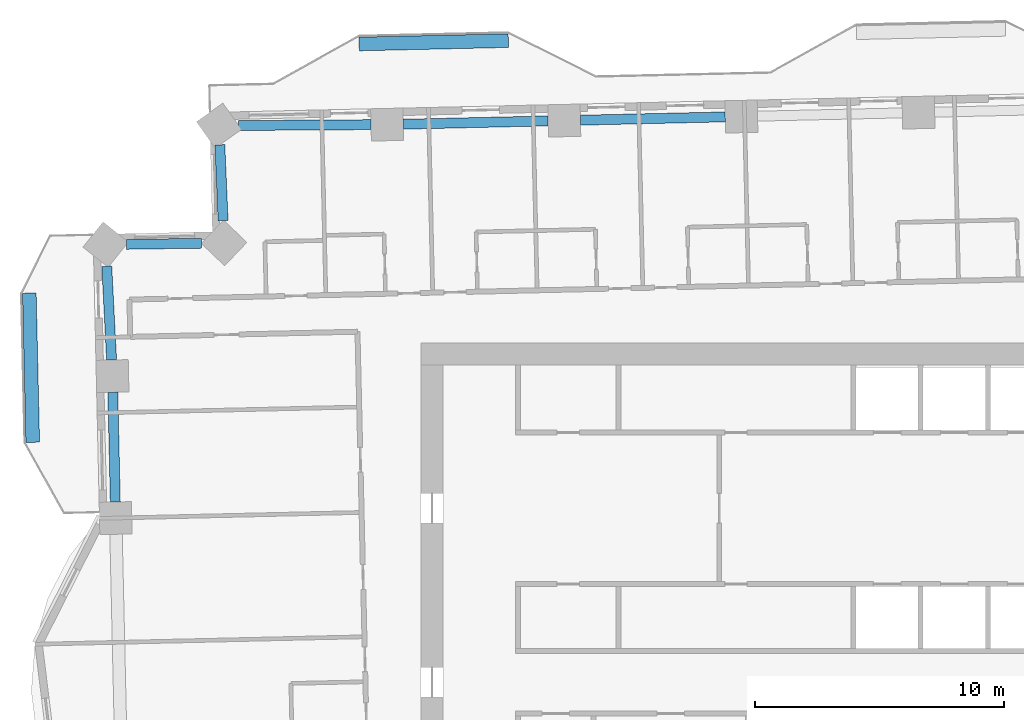
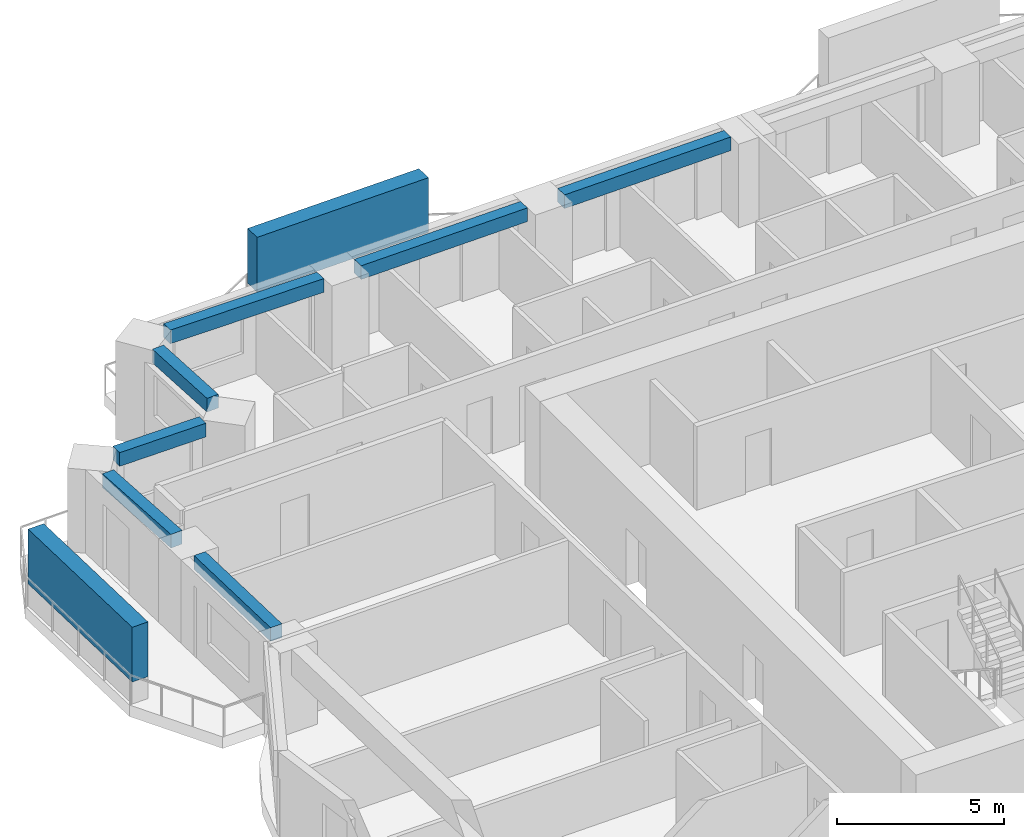
# One storey, part 3 of 16: 7 beams, 2 members.
"""IFC4 building model written with IfcOpenShell, lengths in metres."""

from ifc_helpers import new_model, si_unit, direction, frame, origin, origin_2d, place, context, subcontext, project, spatial, rectangle, extrude, material, material_profile, profile_set, type_object, element, save


model = new_model("IFC4")

# Units and contexts
model_context = context("Model", 3, precision=1e-05, world=origin(), true_north=direction((0.0, 1.0)))
body_context = subcontext(model_context, "Body", "Model", "MODEL_VIEW")
ifc_project = project(units=[si_unit("LENGTHUNIT", "METRE"), si_unit("AREAUNIT", "SQUARE_METRE"), si_unit("VOLUMEUNIT", "CUBIC_METRE"), si_unit("PLANEANGLEUNIT", "RADIAN"), si_unit("MASSUNIT", "GRAM", prefix="KILO")], contexts=[model_context])

# Site, building, storey
site_placement = place(None, origin())
site = spatial("IfcSite", under=ifc_project, at=site_placement, CompositionType="ELEMENT")
building_placement = place(site_placement, origin())
building = spatial("IfcBuilding", under=site, at=building_placement, Name="Mangrove Gate Tower", CompositionType="ELEMENT")
storey_placement = place(building_placement, frame((0.0, 0.0, 140.89990234375)))
storey = spatial("IfcBuildingStorey", under=building, at=storey_placement, Name="L35", CompositionType="ELEMENT", Elevation=140.89990234375)

# Members
ifc_material_1 = material(Name="Planting on aluminium trellis", Category="aluminium")
ifc_material_profile_1 = material_profile(ifc_material_1, rectangle(XDim=0.550048828125, YDim=2.0, at=origin_2d()))
ifc_profile_set_1 = profile_set([ifc_material_profile_1], Name="Planting on aluminium trellis")
member_type = type_object("IfcMemberType", Name="Balcony greenery screen 550x2000", PredefinedType="USERDEFINED", material=ifc_profile_set_1)
member_1_placement = place(storey_placement, frame((-17.179931640625, 23.718017578125, 1.800048828125), z_axis=(0.999743178102, 0.022662255828, 0.0), x_axis=(-0.022662255828, 0.999743178102, 0.0)))
element("IfcMember", 1, at=member_1_placement, inside=storey, type_object=member_type, Name="GREEN SCREEN L35 N1.1", ObjectType="PLANTING", PredefinedType="USERDEFINED", context=body_context, shape_type="SweptSolid", body=[
    extrude(rectangle(XDim=0.550048828125, YDim=2.0, at=origin_2d()), origin(), (0.0, 0.0, 1.0), 6.00048828125),
])
member_2_placement = place(storey_placement, frame((-30.306884765625, 7.700927734375, 1.800048828125), z_axis=(-0.022706615587, 0.999742171567, 0.0), x_axis=(-0.999742171567, -0.022706615587, 0.0)))
element("IfcMember", 2, at=member_2_placement, inside=storey, type_object=member_type, Name="GREEN SCREEN L35 W0.1", ObjectType="PLANTING", PredefinedType="USERDEFINED", context=body_context, shape_type="SweptSolid", body=[
    extrude(rectangle(XDim=0.550048828125, YDim=2.0, at=origin_2d()), origin(), (0.0, 0.0, 1.0), 5.99951171875),
])

# Beams
ifc_material_2 = material(Name="Concrete C50/60", Category="concrete")
ifc_material_profile_2 = material_profile(ifc_material_2, rectangle(XDim=0.39990234375, YDim=0.5, at=origin_2d()))
ifc_profile_set_2 = profile_set([ifc_material_profile_2], Name="Concrete C50/60")
beam_type = type_object("IfcBeamType", Name="Edge beam RC 400x500 C50/60", PredefinedType="BEAM", material=ifc_profile_set_2)
beam_1_placement = place(storey_placement, frame((-2.458984375, 20.786376953125, 2.800048828125), z_axis=(-0.999741857186, -0.022720453126, 0.0), x_axis=(0.022720453126, -0.999741857186, 0.0)))
element("IfcBeam", 3, at=beam_1_placement, inside=storey, type_object=beam_type, Name="Edge beam L35 22", PredefinedType="BEAM", context=body_context, shape_type="SweptSolid", body=[
    extrude(rectangle(XDim=0.39990234375, YDim=0.5, at=origin_2d()), origin(), (0.0, 0.0, 1.0), 5.823974609375),
])
beam_2_placement = place(storey_placement, frame((-9.5810546875, 20.62451171875, 2.800048828125), z_axis=(-0.999744684453, -0.022595705507, 0.0), x_axis=(0.022595705507, -0.999744684453, 0.0)))
element("IfcBeam", 4, at=beam_2_placement, inside=storey, type_object=beam_type, Name="Edge beam L35 23", PredefinedType="BEAM", context=body_context, shape_type="SweptSolid", body=[
    extrude(rectangle(XDim=0.39990234375, YDim=0.5, at=origin_2d()), origin(), (0.0, 0.0, 1.0), 5.82373046875),
])
beam_3_placement = place(storey_placement, frame((-16.703369140625, 20.47412109375, 2.800048828125), z_axis=(-0.999979944176, -0.006333343995, 0.0), x_axis=(0.006333343995, -0.999979944176, 0.0)))
element("IfcBeam", 5, at=beam_3_placement, inside=storey, type_object=beam_type, Name="Edge beam L35 24", PredefinedType="BEAM", context=body_context, shape_type="SweptSolid", body=[
    extrude(rectangle(XDim=0.39990234375, YDim=0.5, at=origin_2d()), origin(), (0.0, 0.0, 1.0), 5.319580078125),
])
beam_4_placement = place(storey_placement, frame((-22.7822265625, 19.662841796875, 2.800048828125), z_axis=(0.04309999765, -0.999070763361, 0.0), x_axis=(0.999070763361, 0.04309999765, 0.0)))
element("IfcBeam", 6, at=beam_4_placement, inside=storey, type_object=beam_type, Name="Edge beam L35 25", PredefinedType="BEAM", context=body_context, shape_type="SweptSolid", body=[
    extrude(rectangle(XDim=0.39990234375, YDim=0.5, at=origin_2d()), origin(), (0.0, 0.0, 1.0), 3.047607421875),
])
beam_5_placement = place(storey_placement, frame((-23.523193359375, 15.705078125, 2.800048828125), z_axis=(-0.999902574754, -0.013958545805, 0.0), x_axis=(0.013958545805, -0.999902574754, 0.0)))
element("IfcBeam", 7, at=beam_5_placement, inside=storey, type_object=beam_type, Name="Edge beam L35 26", PredefinedType="BEAM", context=body_context, shape_type="SweptSolid", body=[
    extrude(rectangle(XDim=0.39990234375, YDim=0.5, at=origin_2d()), origin(), (0.0, 0.0, 1.0), 3.00830078125),
])
beam_6_placement = place(storey_placement, frame((-27.3291015625, 14.781982421875, 2.800048828125), z_axis=(0.05146940493, -0.998674571798, 0.0), x_axis=(0.998674571798, 0.05146940493, 0.0)))
element("IfcBeam", 8, at=beam_6_placement, inside=storey, type_object=beam_type, Name="Edge beam L35 27", PredefinedType="BEAM", context=body_context, shape_type="SweptSolid", body=[
    extrude(rectangle(XDim=0.39990234375, YDim=0.5, at=origin_2d()), origin(), (0.0, 0.0, 1.0), 3.775634765625),
])
beam_7_placement = place(storey_placement, frame((-27.08642578125, 9.7119140625, 2.800048828125), z_axis=(0.022745290406, -0.999741292417, 0.0), x_axis=(0.999741292417, 0.022745290406, 0.0)))
element("IfcBeam", 9, at=beam_7_placement, inside=storey, type_object=beam_type, Name="Edge beam L35 28", PredefinedType="BEAM", context=body_context, shape_type="SweptSolid", body=[
    extrude(rectangle(XDim=0.39990234375, YDim=0.5, at=origin_2d()), origin(), (0.0, 0.0, 1.0), 4.41162109375),
])

save(model, "model.ifc")
